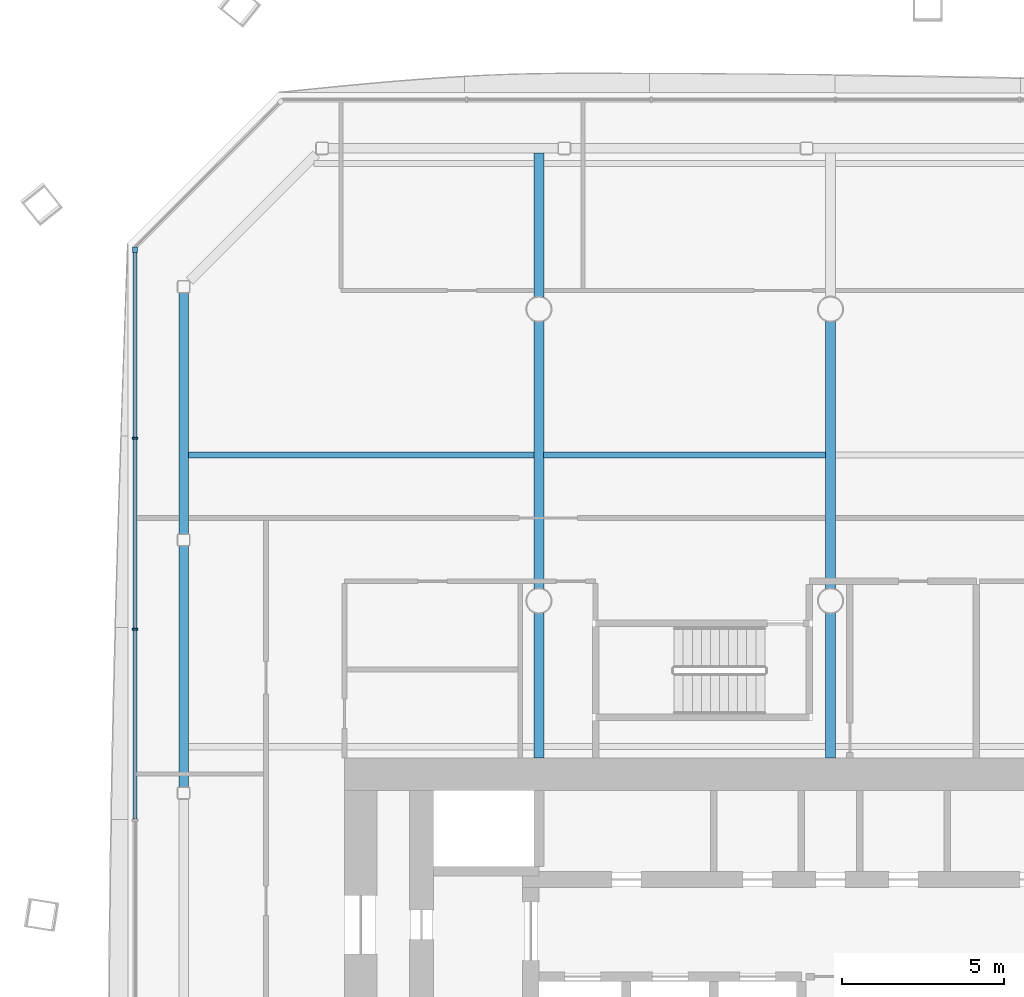
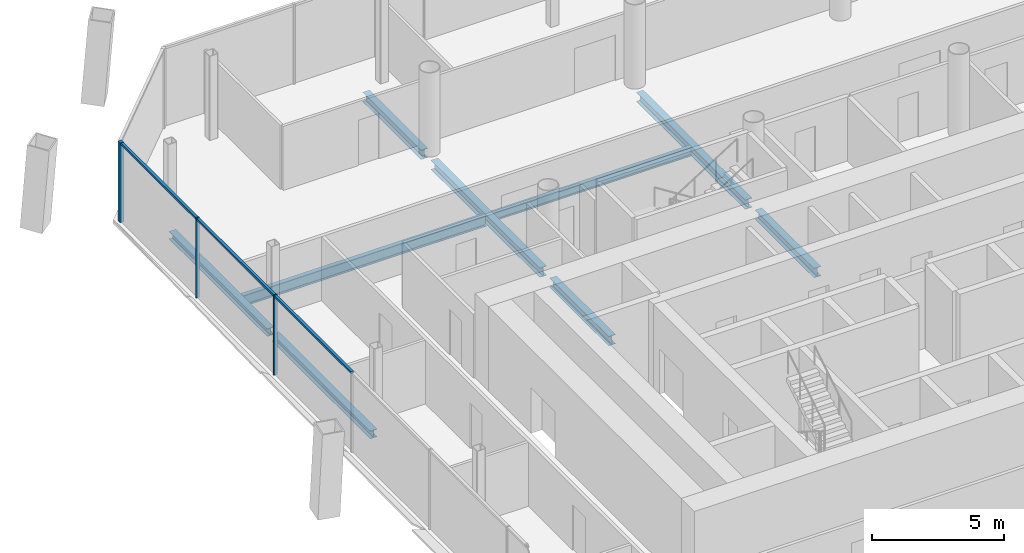
# One storey, part 7 of 19: 9 beams, 6 members, 1 element without a shape of its own.
"""IFC4 building model written with IfcOpenShell, lengths in metres."""

import ifcopenshell
import ifcopenshell.guid

model = None  # the IFC model being written
_history = None  # IfcOwnerHistory: only IFC2X3 demands one
_inside = {}  # id of a spatial element -> (the spatial element, [elements in it])
_under = {}  # id of a project, library or spatial element -> (it, [spatial elements below it])
_declared = {}  # id of a project -> (the project, [libraries it declares])
_typed = {}  # id of a type object -> (the type object, [elements of that type])
_made_of = {}  # id of a material, layer set ... -> (it, [elements and type objects made of it])


def new_model(schema):
    """Start an empty IFC model of exactly this schema.

    Asked for "IFC4X3", IfcOpenShell would pick the latest addendum, in which some entities
    have other attributes; the version numbers below select the first issue.
    IFC2X3 requires an IfcOwnerHistory on every rooted entity: one is made here for all.
    """
    global model, _history
    if schema == "IFC4X3":
        model = ifcopenshell.file(schema_version=(4, 3, 0, 0))
    else:
        model = ifcopenshell.file(schema=schema)
    _inside.clear()
    _under.clear()
    _declared.clear()
    _typed.clear()
    _made_of.clear()
    _history = None
    if model.schema == "IFC2X3":
        org = make("IfcOrganization", Name="unknown")
        user = make(
            "IfcPersonAndOrganization",
            ThePerson=make("IfcPerson", FamilyName="unknown"),
            TheOrganization=org,
        )
        app = make(
            "IfcApplication",
            ApplicationDeveloper=org,
            Version="unknown",
            ApplicationFullName="unknown",
            ApplicationIdentifier="unknown",
        )
        _history = make(
            "IfcOwnerHistory",
            OwningUser=user,
            OwningApplication=app,
            ChangeAction="ADDED",
            CreationDate=0,
        )
    return model


def make(cls, **values):
    """One entity of the class cls with the attributes given. An attribute that is None is left unset."""
    return model.create_entity(
        cls, **{name: value for name, value in values.items() if value is not None}
    )


def rooted(cls, **values):
    """An entity with a GlobalId (a new one), such as an element, a storey or a relation."""
    return make(cls, GlobalId=ifcopenshell.guid.new(), OwnerHistory=_history, **values)


def si_unit(unit_type, name, prefix=None):
    """IfcSIUnit, for example si_unit("LENGTHUNIT", "METRE", prefix="MILLI")."""
    return make("IfcSIUnit", UnitType=unit_type, Prefix=prefix, Name=name)


def assignment(units):
    """IfcUnitAssignment: the units of a project."""
    return None if units is None else make("IfcUnitAssignment", Units=units)


def point(xyz):
    """IfcCartesianPoint."""
    return None if xyz is None else make("IfcCartesianPoint", Coordinates=xyz)


def direction(xyz):
    """IfcDirection."""
    return None if xyz is None else make("IfcDirection", DirectionRatios=xyz)


def frame(location, z_axis=None, x_axis=None):
    """IfcAxis2Placement3D, a coordinate frame: its origin and axes. An axis left out is left unset."""
    return make(
        "IfcAxis2Placement3D",
        Location=point(location),
        Axis=direction(z_axis),
        RefDirection=direction(x_axis),
    )


def frame_2d(location, x_axis=None):
    """IfcAxis2Placement2D, a coordinate frame in the plane: its origin and x axis."""
    return make(
        "IfcAxis2Placement2D", Location=point(location), RefDirection=direction(x_axis)
    )


def origin():
    """The frame at (0, 0, 0) with its axes left unset."""
    return frame((0.0, 0.0, 0.0))


def origin_2d():
    """The frame at (0, 0) in the plane with its x axis left unset."""
    return frame_2d((0.0, 0.0))


def place(relative_to, where):
    """IfcLocalPlacement: puts the frame where relative to a parent placement (None: the world)."""
    return make(
        "IfcLocalPlacement", PlacementRelTo=relative_to, RelativePlacement=where
    )


def context(
    kind, dimensions, precision=None, world=None, true_north=None, identifier=None
):
    """IfcGeometricRepresentationContext, for example the 3D "Model" context."""
    return make(
        "IfcGeometricRepresentationContext",
        ContextIdentifier=identifier,
        ContextType=kind,
        CoordinateSpaceDimension=dimensions,
        Precision=precision,
        WorldCoordinateSystem=world,
        TrueNorth=true_north,
    )


def subcontext(parent, identifier, kind, view, scale=None):
    """IfcGeometricRepresentationSubContext, for example "Body" below "Model"."""
    return make(
        "IfcGeometricRepresentationSubContext",
        ContextIdentifier=identifier,
        ContextType=kind,
        ParentContext=parent,
        TargetScale=scale,
        TargetView=view,
    )


def project(units=None, contexts=None):
    """IfcProject with its units and contexts."""
    return rooted(
        "IfcProject",
        Name="project",
        RepresentationContexts=contexts,
        UnitsInContext=assignment(units),
    )


def spatial(cls, under=None, at=None, **own):
    """A site, building, storey or space (cls), placed at a placement, below another one or the project."""
    s = rooted(cls, ObjectPlacement=at, **own)
    if under is not None:
        _under.setdefault(under.id(), (under, []))[1].append(s)
    return s


def profile(cls, at=None, kind="AREA", **sizes):
    """A parametric profile (cls). Its sizes go by their IFC names, for example OverallWidth=200.0."""
    return make(cls, ProfileType=kind, Position=at, **sizes)


def rectangle(**sizes):
    """IfcRectangleProfileDef."""
    return profile("IfcRectangleProfileDef", **sizes)


def i_section(**sizes):
    """IfcIShapeProfileDef."""
    return profile("IfcIShapeProfileDef", **sizes)


def extrude(swept, where, along, depth):
    """IfcExtrudedAreaSolid: the profile swept, set in the frame where, extruded along a direction by depth."""
    return make(
        "IfcExtrudedAreaSolid",
        SweptArea=swept,
        Position=where,
        ExtrudedDirection=direction(along),
        Depth=depth,
    )


def shape(context_of_items, identifier, shape_type, items):
    """IfcShapeRepresentation: the items that make up one representation, for example the "Body"."""
    return make(
        "IfcShapeRepresentation",
        ContextOfItems=context_of_items,
        RepresentationIdentifier=identifier,
        RepresentationType=shape_type,
        Items=items,
    )


def material(Name=None, Category=None):
    """IfcMaterial."""
    return make("IfcMaterial", Name=Name, Category=Category)


def material_profile(
    of_material, cross_section, Name=None, Category=None, Priority=None
):
    """IfcMaterialProfile: a cross section and its material."""
    return make(
        "IfcMaterialProfile",
        Name=Name,
        Material=of_material,
        Profile=cross_section,
        Priority=Priority,
        Category=Category,
    )


def profile_set(profiles, Name=None, composite=None):
    """IfcMaterialProfileSet."""
    return make(
        "IfcMaterialProfileSet",
        Name=Name,
        MaterialProfiles=profiles,
        CompositeProfile=composite,
    )


def made_of(thing, what):
    """Note that an element or type object is made of a material, layer set ...; save() writes the relation."""
    if what is not None:
        _made_of.setdefault(what.id(), (what, []))[1].append(thing)
    return thing


def type_object(cls, material=None, **own):
    """A type object (cls), such as IfcWallType, which elements share."""
    return made_of(rooted(cls, **own), material)


def element(
    cls,
    number,
    at=None,
    inside=None,
    cuts=None,
    type_object=None,
    material=None,
    context=None,
    identifier="Body",
    shape_type=None,
    held_by="IfcProductDefinitionShape",
    body=None,
    shapes=None,
    **own,
):
    """One element of the class cls, such as IfcWall. Its Tag is "e" and its number.

    at: its placement. inside: the storey or other place that contains it. cuts: it is an
    opening in that element (IfcRelVoidsElement). A single representation is given by context,
    identifier, shape_type and body (its items); several are given by shapes. held_by: the class
    of the entity that holds the representations. save() writes the other relations.
    """
    e = rooted(cls, Tag="e%d" % number, ObjectPlacement=at, **own)
    if body is not None:
        shapes = [shape(context, identifier, shape_type, body)]
    if shapes is not None:
        e.Representation = make(held_by, Representations=shapes)
    if inside is not None:
        _inside.setdefault(inside.id(), (inside, []))[1].append(e)
    if cuts is not None:
        rooted(
            "IfcRelVoidsElement", RelatingBuildingElement=cuts, RelatedOpeningElement=e
        )
    if type_object is not None:
        _typed.setdefault(type_object.id(), (type_object, []))[1].append(e)
    return made_of(e, material)


def aggregate(whole, parts):
    """IfcRelAggregates: a whole, such as a stair, and the parts it consists of."""
    return rooted("IfcRelAggregates", RelatingObject=whole, RelatedObjects=parts)


def save(model, path):
    """Write the relations noted so far, then the file.

    IfcRelAggregates (storeys below a building ...), IfcRelContainedInSpatialStructure (elements
    in a storey), IfcRelDefinesByType, IfcRelAssociatesMaterial and IfcRelDeclares: one each for
    every whole, place, type object, material and project.
    """
    for whole, parts in _under.values():
        aggregate(whole, parts)
    for where, things in _inside.values():
        rooted(
            "IfcRelContainedInSpatialStructure",
            RelatedElements=things,
            RelatingStructure=where,
        )
    for kind, things in _typed.values():
        rooted("IfcRelDefinesByType", RelatedObjects=things, RelatingType=kind)
    for what, things in _made_of.values():
        rooted("IfcRelAssociatesMaterial", RelatedObjects=things, RelatingMaterial=what)
    for by, libraries in _declared.values():
        rooted("IfcRelDeclares", RelatingContext=by, RelatedDefinitions=libraries)
    model.write(path)


model = new_model("IFC4")

# Units and contexts
model_context = context("Model", 3, precision=1e-05, world=origin(), true_north=direction((0.0, 1.0)))
body_context = subcontext(model_context, "Body", "Model", "MODEL_VIEW")
ifc_project = project(units=[si_unit("LENGTHUNIT", "METRE"), si_unit("AREAUNIT", "SQUARE_METRE"), si_unit("VOLUMEUNIT", "CUBIC_METRE"), si_unit("PLANEANGLEUNIT", "RADIAN"), si_unit("MASSUNIT", "GRAM", prefix="KILO")], contexts=[model_context])

# Site, building, storey
site_placement = place(None, origin())
site = spatial("IfcSite", under=ifc_project, at=site_placement, CompositionType="ELEMENT")
building_placement = place(site_placement, origin())
building = spatial("IfcBuilding", under=site, at=building_placement, Name="Tskaro Facet Tower", CompositionType="ELEMENT")
storey_placement = place(building_placement, frame((0.0, 0.0, 89.39990234375)))
storey = spatial("IfcBuildingStorey", under=building, at=storey_placement, Name="L21", CompositionType="ELEMENT", Elevation=89.39990234375)

# Curtain wall, members
ifc_material_1 = material(Name="Bronze anodised aluminium 6063-T6", Category="aluminium")
curtain_wall_type = type_object("IfcCurtainWallType", Name="Bronze office curtain wall (FW1)", PredefinedType="NOTDEFINED", material=ifc_material_1)
curtain_wall_placement = place(storey_placement, origin())
curtain_wall = element("IfcCurtainWall", 1, at=curtain_wall_placement, inside=storey, type_object=curtain_wall_type, Name="FW1 west facet L21", PredefinedType="NOTDEFINED")
ifc_material_profile_1 = material_profile(ifc_material_1, rectangle(XDim=0.159912109375, YDim=0.159912109375, at=origin_2d()), Name="Corner post 160x160")
ifc_profile_set_1 = profile_set([ifc_material_profile_1], Name="Bronze anodised aluminium 6063-T6")
member_type_1 = type_object("IfcMemberType", Name="FW1 bronze corner post 160x160", PredefinedType="MULLION", material=ifc_profile_set_1)
member_1_placement = place(storey_placement, frame((-21.462890625, 19.8330078125, 0.0), z_axis=(0.0, 0.0, 1.0), x_axis=(0.0, -1.0, 0.0)))
member_1 = element("IfcMember", 2, at=member_1_placement, type_object=member_type_1, Name="FW1 west corner post", PredefinedType="MULLION", context=body_context, shape_type="SweptSolid", body=[
    extrude(rectangle(XDim=0.159912109375, YDim=0.159912109375, at=origin_2d()), origin(), (0.0, 0.0, 1.0), 3.7001953125),
])
ifc_material_profile_2 = material_profile(ifc_material_1, rectangle(XDim=0.06005859375, YDim=0.159912109375, at=origin_2d()), Name="Mullion 60x160")
ifc_profile_set_2 = profile_set([ifc_material_profile_2], Name="Bronze anodised aluminium 6063-T6")
member_type_2 = type_object("IfcMemberType", Name="FW1 bronze mullion 60x160", PredefinedType="MULLION", material=ifc_profile_set_2)
member_2_placement = place(storey_placement, frame((-21.462890625, 14.0185546875, 0.0), z_axis=(0.0, 0.0, 1.0), x_axis=(0.0, -1.0, 0.0)))
member_2 = element("IfcMember", 3, at=member_2_placement, type_object=member_type_2, Name="FW1 west mullion 1", PredefinedType="MULLION", context=body_context, shape_type="SweptSolid", body=[
    extrude(rectangle(XDim=0.06005859375, YDim=0.159912109375, at=origin_2d()), origin(), (0.0, 0.0, 1.0), 3.7001953125),
])
member_3_placement = place(storey_placement, frame((-21.462890625, 8.1240234375, 0.0), z_axis=(0.0, 0.0, 1.0), x_axis=(0.0, -1.0, 0.0)))
member_3 = element("IfcMember", 4, at=member_3_placement, type_object=member_type_2, Name="FW1 west mullion 2", PredefinedType="MULLION", context=body_context, shape_type="SweptSolid", body=[
    extrude(rectangle(XDim=0.06005859375, YDim=0.159912109375, at=origin_2d()), origin(), (0.0, 0.0, 1.0), 3.7001953125),
])
ifc_material_profile_3 = material_profile(ifc_material_1, rectangle(XDim=0.1201171875, YDim=0.10009765625, at=origin_2d()), Name="Transom 120x100")
ifc_profile_set_3 = profile_set([ifc_material_profile_3], Name="Bronze anodised aluminium 6063-T6")
member_type_3 = type_object("IfcMemberType", Name="FW1 bronze transom 120x100", PredefinedType="USERDEFINED", material=ifc_profile_set_3)
member_4_placement = place(storey_placement, frame((-21.462890625, 19.7529296875, 3.650146484375), z_axis=(0.0, -1.0, 0.0), x_axis=(1.0, 0.0, 0.0)))
member_4 = element("IfcMember", 5, at=member_4_placement, type_object=member_type_3, Name="FW1 west transom 1.1", ObjectType="TRANSOM", PredefinedType="USERDEFINED", context=body_context, shape_type="SweptSolid", body=[
    extrude(rectangle(XDim=0.1201171875, YDim=0.10009765625, at=origin_2d()), origin(), (0.0, 0.0, 1.0), 5.704345703125),
])
member_5_placement = place(storey_placement, frame((-21.462890625, 13.988525390625, 3.650146484375), z_axis=(0.0, -1.0, 0.0), x_axis=(1.0, 0.0, 0.0)))
member_5 = element("IfcMember", 6, at=member_5_placement, type_object=member_type_3, Name="FW1 west transom 2.1", ObjectType="TRANSOM", PredefinedType="USERDEFINED", context=body_context, shape_type="SweptSolid", body=[
    extrude(rectangle(XDim=0.1201171875, YDim=0.10009765625, at=origin_2d()), origin(), (0.0, 0.0, 1.0), 5.83447265625),
])
member_6_placement = place(storey_placement, frame((-21.462890625, 8.09423828125, 3.650146484375), z_axis=(0.0, -1.0, 0.0), x_axis=(1.0, 0.0, 0.0)))
member_6 = element("IfcMember", 7, at=member_6_placement, type_object=member_type_3, Name="FW1 west transom 3.1", ObjectType="TRANSOM", PredefinedType="USERDEFINED", context=body_context, shape_type="SweptSolid", body=[
    extrude(rectangle(XDim=0.1201171875, YDim=0.10009765625, at=origin_2d()), origin(), (0.0, 0.0, 1.0), 5.83447265625),
])
aggregate(curtain_wall, [member_1, member_2, member_3, member_4, member_5, member_6])

# Beams
ifc_material_2 = material(Name="Steel S355J2", Category="steel")
ifc_material_profile_4 = material_profile(ifc_material_2, i_section(OverallWidth=0.300048828125, OverallDepth=0.360107421875, WebThickness=0.012451171875, FlangeThickness=0.0224609375, FilletRadius=0.027099609375, at=origin_2d()), Name="HE 360 B")
ifc_profile_set_4 = profile_set([ifc_material_profile_4], Name="Steel S355J2")
beam_type_1 = type_object("IfcBeamType", Name="HE 360 B ring beam", PredefinedType="BEAM", material=ifc_profile_set_4)
for number, where, z_axis, x_axis, name in (
    (8, (-19.965087890625, 18.510009765625, -0.31982421875), (0.0, -1.0, 0.0), (1.0, 0.0, 0.0), "HE 360 B EB19-2"),
    (9, (-19.965087890625, 10.698974609375, -0.31982421875), (0.0, -1.0, 0.0), (1.0, 0.0, 0.0), "HE 360 B EB20-2"),
):
    element("IfcBeam", number, at=place(storey_placement, frame(where, z_axis=z_axis, x_axis=x_axis)), inside=storey, type_object=beam_type_1, Name=name, PredefinedType="BEAM", context=body_context, shape_type="SweptSolid", body=[
        extrude(i_section(OverallWidth=0.300048828125, OverallDepth=0.360107421875, WebThickness=0.012451171875, FlangeThickness=0.0224609375, FilletRadius=0.027099609375, at=origin_2d()), origin(), (0.0, 0.0, 1.0), 7.450927734375),
    ])
ifc_material_profile_5 = material_profile(ifc_material_2, i_section(OverallWidth=0.300048828125, OverallDepth=0.43994140625, WebThickness=0.011474609375, FlangeThickness=0.02099609375, FilletRadius=0.027099609375, at=origin_2d()), Name="HE 450 A")
ifc_profile_set_5 = profile_set([ifc_material_profile_5], Name="Steel S355J2")
beam_type_2 = type_object("IfcBeamType", Name="HE 450 A girder", PredefinedType="BEAM", material=ifc_profile_set_5)
beam_1_placement = place(storey_placement, frame((-9.0, 4.14990234375, -0.35986328125), z_axis=(0.0, 1.0, 0.0), x_axis=(-1.0, 0.0, 0.0)))
element("IfcBeam", 10, at=beam_1_placement, inside=storey, type_object=beam_type_2, Name="HE 450 A GB3-3-2", PredefinedType="BEAM", context=body_context, shape_type="SweptSolid", body=[
    extrude(i_section(OverallWidth=0.300048828125, OverallDepth=0.43994140625, WebThickness=0.011474609375, FlangeThickness=0.02099609375, FilletRadius=0.027099609375, at=origin_2d()), origin(), (0.0, 0.0, 1.0), 4.4736328125),
])
beam_2_placement = place(storey_placement, frame((-9.0, 9.37646484375, -0.35986328125), z_axis=(0.0, 1.0, 0.0), x_axis=(-1.0, 0.0, 0.0)))
element("IfcBeam", 11, at=beam_2_placement, inside=storey, type_object=beam_type_2, Name="HE 450 A GB3-4-2", PredefinedType="BEAM", context=body_context, shape_type="SweptSolid", body=[
    extrude(i_section(OverallWidth=0.300048828125, OverallDepth=0.43994140625, WebThickness=0.011474609375, FlangeThickness=0.02099609375, FilletRadius=0.027099609375, at=origin_2d()), origin(), (0.0, 0.0, 1.0), 8.2470703125),
])
beam_3_placement = place(storey_placement, frame((-9.0, 18.37646484375, -0.35986328125), z_axis=(0.0, 1.0, 0.0), x_axis=(-1.0, 0.0, 0.0)))
element("IfcBeam", 12, at=beam_3_placement, inside=storey, type_object=beam_type_2, Name="HE 450 A GB3-5-2", PredefinedType="BEAM", context=body_context, shape_type="SweptSolid", body=[
    extrude(i_section(OverallWidth=0.300048828125, OverallDepth=0.43994140625, WebThickness=0.011474609375, FlangeThickness=0.02099609375, FilletRadius=0.027099609375, at=origin_2d()), origin(), (0.0, 0.0, 1.0), 4.4384765625),
])
beam_4_placement = place(storey_placement, frame((0.0, 4.14990234375, -0.35986328125), z_axis=(0.0, 1.0, 0.0), x_axis=(-1.0, 0.0, 0.0)))
element("IfcBeam", 13, at=beam_4_placement, inside=storey, type_object=beam_type_2, Name="HE 450 A GB4-3-2", PredefinedType="BEAM", context=body_context, shape_type="SweptSolid", body=[
    extrude(i_section(OverallWidth=0.300048828125, OverallDepth=0.43994140625, WebThickness=0.011474609375, FlangeThickness=0.02099609375, FilletRadius=0.027099609375, at=origin_2d()), origin(), (0.0, 0.0, 1.0), 4.4736328125),
])
beam_5_placement = place(storey_placement, frame((0.0, 9.37646484375, -0.35986328125), z_axis=(0.0, 1.0, 0.0), x_axis=(-1.0, 0.0, 0.0)))
element("IfcBeam", 14, at=beam_5_placement, inside=storey, type_object=beam_type_2, Name="HE 450 A GB4-4-2", PredefinedType="BEAM", context=body_context, shape_type="SweptSolid", body=[
    extrude(i_section(OverallWidth=0.300048828125, OverallDepth=0.43994140625, WebThickness=0.011474609375, FlangeThickness=0.02099609375, FilletRadius=0.027099609375, at=origin_2d()), origin(), (0.0, 0.0, 1.0), 8.2470703125),
])
ifc_material_profile_6 = material_profile(ifc_material_2, i_section(OverallWidth=0.179931640625, OverallDepth=0.39990234375, WebThickness=0.008544921875, FlangeThickness=0.013427734375, FilletRadius=0.02099609375, at=origin_2d()), Name="IPE 400")
ifc_profile_set_6 = profile_set([ifc_material_profile_6], Name="Steel S355J2")
beam_type_3 = type_object("IfcBeamType", Name="IPE 400 secondary beam", PredefinedType="BEAM", material=ifc_profile_set_6)
beam_6_placement = place(storey_placement, frame((-8.85009765625, 13.5, -0.33984375), z_axis=(1.0, 0.0, 0.0), x_axis=(0.0, 1.0, 0.0)))
element("IfcBeam", 15, at=beam_6_placement, inside=storey, type_object=beam_type_3, Name="IPE 400 SB5a-2-2", PredefinedType="BEAM", context=body_context, shape_type="SweptSolid", body=[
    extrude(i_section(OverallWidth=0.179931640625, OverallDepth=0.39990234375, WebThickness=0.008544921875, FlangeThickness=0.013427734375, FilletRadius=0.02099609375, at=origin_2d()), origin(), (0.0, 0.0, 1.0), 8.7001953125),
])
ifc_material_profile_7 = material_profile(ifc_material_2, i_section(OverallWidth=0.199951171875, OverallDepth=0.5, WebThickness=0.01025390625, FlangeThickness=0.01611328125, FilletRadius=0.02099609375, at=origin_2d()), Name="IPE 500")
ifc_profile_set_7 = profile_set([ifc_material_profile_7], Name="Steel S355J2")
beam_type_4 = type_object("IfcBeamType", Name="IPE 500 long secondary beam", PredefinedType="BEAM", material=ifc_profile_set_7)
beam_7_placement = place(storey_placement, frame((-19.81494140625, 13.5, -0.389892578125), z_axis=(1.0, 0.0, 0.0), x_axis=(0.0, 1.0, 0.0)))
element("IfcBeam", 16, at=beam_7_placement, inside=storey, type_object=beam_type_4, Name="IPE 500 LSB5a-1-2", PredefinedType="BEAM", context=body_context, shape_type="SweptSolid", body=[
    extrude(i_section(OverallWidth=0.199951171875, OverallDepth=0.5, WebThickness=0.01025390625, FlangeThickness=0.01611328125, FilletRadius=0.02099609375, at=origin_2d()), origin(), (0.0, 0.0, 1.0), 10.6650390625),
])

save(model, "model.ifc")
